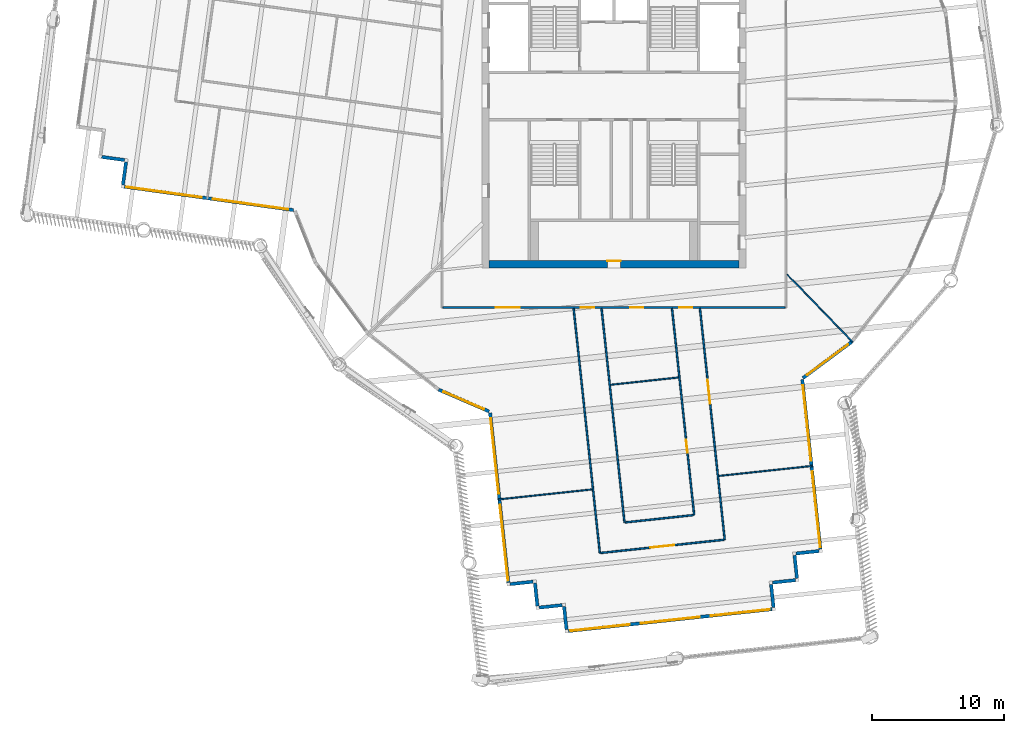
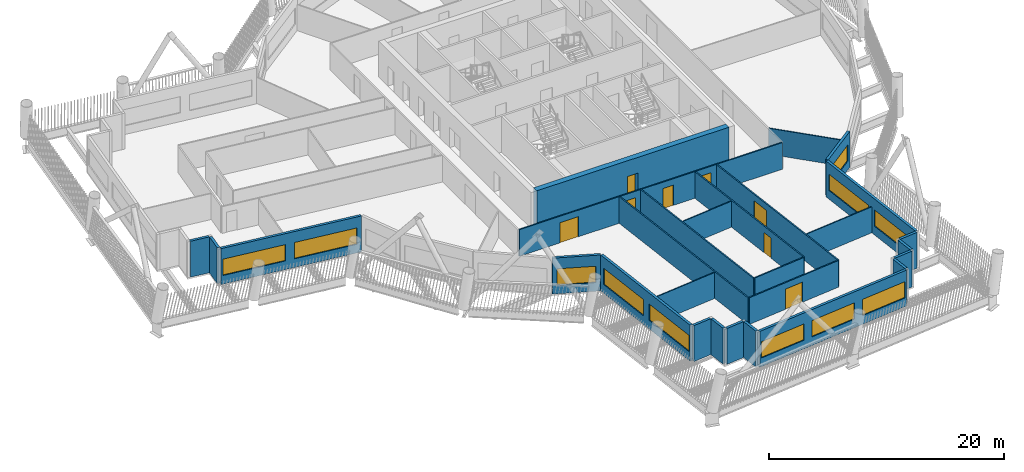
# One storey, part 3 of 21: 28 walls, 11 windows, 8 doors, 19 openings.
"""IFC4 building model written with IfcOpenShell, lengths in metres."""

from ifc_helpers import new_model, si_unit, direction, frame, frame_2d, origin, place, context, subcontext, project, spatial, rectangle, extrude, material, layer, layer_set, type_object, element, fill, save


model = new_model("IFC4")

# Units and contexts
model_context = context("Model", 3, precision=1e-05, world=origin(), true_north=direction((0.0, 1.0)))
body_context = subcontext(model_context, "Body", "Model", "MODEL_VIEW")
ifc_project = project(units=[si_unit("LENGTHUNIT", "METRE"), si_unit("AREAUNIT", "SQUARE_METRE"), si_unit("VOLUMEUNIT", "CUBIC_METRE"), si_unit("PLANEANGLEUNIT", "RADIAN"), si_unit("MASSUNIT", "GRAM", prefix="KILO")], contexts=[model_context])

# Site, building, storey
site_placement = place(None, origin())
site = spatial("IfcSite", under=ifc_project, at=site_placement, CompositionType="ELEMENT")
building_placement = place(site_placement, origin())
building = spatial("IfcBuilding", under=site, at=building_placement, Name="Tarsis Ring Headquarters", CompositionType="ELEMENT")
storey_placement = place(building_placement, frame((0.0, 0.0, 255.199951171875)))
storey = spatial("IfcBuildingStorey", under=building, at=storey_placement, Name="L59", CompositionType="ELEMENT", Elevation=255.199951171875)

# Wall, opening, door
ifc_material_1 = material(Name="Concrete C50/60", Category="concrete")
ifc_layer_1 = layer(ifc_material_1, 0.550048828125)
ifc_layer_set_1 = layer_set([ifc_layer_1], Name="Core wall 550 C50/60")
wall_type_1 = type_object("IfcWallType", Name="Core wall 550 C50/60", PredefinedType="SHEAR", material=ifc_layer_set_1)
wall_1_placement = place(storey_placement, frame((-9.449951171875, -12.72509765625, 0.0), z_axis=(0.0, 0.0, 1.0), x_axis=(1.0, 0.0, 0.0)))
wall_1 = element("IfcWall", 1, at=wall_1_placement, inside=storey, type_object=wall_type_1, Name="Core wall OS", PredefinedType="SHEAR", context=body_context, shape_type="SweptSolid", body=[
    extrude(rectangle(XDim=18.89990234375, YDim=0.550048828125, at=frame_2d((9.449951171875, 0.0))), origin(), (0.0, 0.0, 1.0), 3.739990234375),
])
opening_1_placement = place(wall_1_placement, frame((8.949951171875, 0.0, 0.0)))
opening_1 = element("IfcOpeningElement", 2, at=opening_1_placement, cuts=wall_1, Name="Opening L59-C17", PredefinedType="OPENING", context=body_context, shape_type="SweptSolid", body=[
    extrude(rectangle(XDim=1.0, YDim=2.10009765625, at=frame_2d((0.5, 1.050048828125))), frame((0.0, 0.284912109375, 0.0), z_axis=(0.0, -1.0, 0.0), x_axis=(1.0, 0.0, 0.0)), (0.0, 0.0, 1.0), 0.570068359375),
])
ifc_material_2 = material(Name="Steel S355", Category="steel")
door_type_1 = type_object("IfcDoorType", Name="Core room door 1000x2100", OperationType="SINGLE_SWING_LEFT", PredefinedType="DOOR", material=ifc_material_2)
door_1_placement = place(opening_1_placement, origin())
door_1 = element("IfcDoor", 3, at=door_1_placement, inside=storey, type_object=door_type_1, Name="Core room door L59", OperationType="SINGLE_SWING_LEFT", OverallHeight=2.10009765625, OverallWidth=1.0, PredefinedType="DOOR", context=body_context, shape_type="SweptSolid", body=[
    extrude(rectangle(XDim=1.0, YDim=2.10009765625, at=frame_2d((0.5, 1.050048828125))), frame((0.0, 0.27490234375, 0.0), z_axis=(0.0, -1.0, 0.0), x_axis=(1.0, 0.0, 0.0)), (0.0, 0.0, 1.0), 0.050048828125),
])
fill(opening_1, door_1)

# Walls
ifc_material_3 = material(Name="Gypsum board on steel studs", Category="steel")
ifc_layer_2 = layer(ifc_material_3, 0.10009765625)
ifc_layer_set_2 = layer_set([ifc_layer_2], Name="FL partition 100 unrated")
wall_type_2 = type_object("IfcWallType", Name="FL partition 100 unrated", PredefinedType="PARTITIONING", material=ifc_layer_set_2)
wall_2_placement = place(storey_placement, frame((13.090576171875, -13.498779296875, 0.0), z_axis=(0.0, 0.0, 1.0), x_axis=(0.696155976572, -0.717890560102, 0.0)))
element("IfcWall", 4, at=wall_2_placement, inside=storey, type_object=wall_type_2, Name="Partition PW3", PredefinedType="PARTITIONING", context=body_context, shape_type="SweptSolid", body=[
    extrude(rectangle(XDim=7.14404296875, YDim=0.10009765625, at=frame_2d((3.572021484375, 0.0))), origin(), (0.0, 0.0, 1.0), 2.699951171875),
])
wall_3_placement = place(storey_placement, frame((7.928955078125, -28.738525390625, 0.0), z_axis=(0.0, 0.0, 1.0), x_axis=(0.994299045456, 0.10662742708, 0.0)))
element("IfcWall", 5, at=wall_3_placement, inside=storey, type_object=wall_type_2, Name="Partition PW3", PredefinedType="PARTITIONING", context=body_context, shape_type="SweptSolid", body=[
    extrude(rectangle(XDim=7.1298828125, YDim=0.10009765625, at=frame_2d((3.56494140625, 0.0))), origin(), (0.0, 0.0, 1.0), 2.699951171875),
])
wall_4_placement = place(storey_placement, frame((-8.74658203125, -30.516357421875, 0.0), z_axis=(0.0, 0.0, 1.0), x_axis=(0.994303064178, 0.106589945893, 0.0)))
element("IfcWall", 6, at=wall_4_placement, inside=storey, type_object=wall_type_2, Name="Partition PW3", PredefinedType="PARTITIONING", context=body_context, shape_type="SweptSolid", body=[
    extrude(rectangle(XDim=7.130126953125, YDim=0.10009765625, at=frame_2d((3.56494140625, 0.0))), origin(), (0.0, 0.0, 1.0), 2.699951171875),
])
wall_5_placement = place(storey_placement, frame((-0.2529296875, -21.84130859375, 0.0), z_axis=(0.0, 0.0, 1.0), x_axis=(0.994302171042, 0.10659827701, 0.0)))
element("IfcWall", 7, at=wall_5_placement, inside=storey, type_object=wall_type_2, Name="Partition PW3", PredefinedType="PARTITIONING", context=body_context, shape_type="SweptSolid", body=[
    extrude(rectangle(XDim=5.159912109375, YDim=0.10009765625, at=frame_2d((2.580078125, 0.0))), origin(), (0.0, 0.0, 1.0), 2.699951171875),
])

# Wall, openings, doors
ifc_layer_3 = layer(ifc_material_3, 0.125)
ifc_layer_set_3 = layer_set([ifc_layer_3], Name="FL partition 125 EI 60 H2770")
wall_type_3 = type_object("IfcWallType", Name="FL partition 125 EI 60 H2770", PredefinedType="PARTITIONING", material=ifc_layer_set_3)
wall_6_placement = place(storey_placement, frame((-12.93994140625, -16.0, 0.0), z_axis=(0.0, 0.0, 1.0), x_axis=(1.0, 0.0, 0.0)))
wall_6 = element("IfcWall", 8, at=wall_6_placement, inside=storey, type_object=wall_type_3, Name="Partition PW1", PredefinedType="PARTITIONING", context=body_context, shape_type="SweptSolid", body=[
    extrude(rectangle(XDim=25.8798828125, YDim=0.125, at=frame_2d((12.93994140625, 0.0))), origin(), (0.0, 0.0, 1.0), 2.77001953125),
])
opening_2_placement = place(wall_6_placement, frame((4.00927734375, 0.0, 0.0)))
opening_2 = element("IfcOpeningElement", 9, at=opening_2_placement, cuts=wall_6, Name="Opening D59.11", PredefinedType="OPENING", context=body_context, shape_type="SweptSolid", body=[
    extrude(rectangle(XDim=1.800048828125, YDim=2.10009765625, at=frame_2d((0.89990234375, 1.050048828125))), frame((0.0, 0.072509765625, 0.0), z_axis=(0.0, -1.0, 0.0), x_axis=(1.0, 0.0, 0.0)), (0.0, 0.0, 1.0), 0.14501953125),
])
opening_3_placement = place(wall_6_placement, frame((14.155517578125, 0.0, 0.0)))
opening_3 = element("IfcOpeningElement", 10, at=opening_3_placement, cuts=wall_6, Name="Opening D59.15", PredefinedType="OPENING", context=body_context, shape_type="SweptSolid", body=[
    extrude(rectangle(XDim=1.0, YDim=2.10009765625, at=frame_2d((0.5, 1.050048828125))), frame((0.0, 0.072509765625, 0.0), z_axis=(0.0, -1.0, 0.0), x_axis=(1.0, 0.0, 0.0)), (0.0, 0.0, 1.0), 0.14501953125),
])
opening_4_placement = place(wall_6_placement, frame((10.434326171875, 0.0, 0.0)))
opening_4 = element("IfcOpeningElement", 11, at=opening_4_placement, cuts=wall_6, Name="Opening D59.17", PredefinedType="OPENING", context=body_context, shape_type="SweptSolid", body=[
    extrude(rectangle(XDim=1.0, YDim=2.10009765625, at=frame_2d((0.5, 1.050048828125))), frame((0.0, 0.072509765625, 0.0), z_axis=(0.0, -1.0, 0.0), x_axis=(1.0, 0.0, 0.0)), (0.0, 0.0, 1.0), 0.14501953125),
])
opening_5_placement = place(wall_6_placement, frame((17.876708984375, 0.0, 0.0)))
opening_5 = element("IfcOpeningElement", 12, at=opening_5_placement, cuts=wall_6, Name="Opening D59.18", PredefinedType="OPENING", context=body_context, shape_type="SweptSolid", body=[
    extrude(rectangle(XDim=1.0, YDim=2.10009765625, at=frame_2d((0.5, 1.050048828125))), frame((0.0, 0.072509765625, 0.0), z_axis=(0.0, -1.0, 0.0), x_axis=(1.0, 0.0, 0.0)), (0.0, 0.0, 1.0), 0.14501953125),
])
ifc_material_4 = material(Name="Fire-rated timber door leaf in steel frame", Category="steel")
door_type_2 = type_object("IfcDoorType", Name="FL door FD60-1000", OperationType="NOTDEFINED", PredefinedType="DOOR", material=ifc_material_4)
door_2_placement = place(opening_3_placement, origin())
door_2 = element("IfcDoor", 13, at=door_2_placement, inside=storey, type_object=door_type_2, Name="Door D59.15", OperationType="SINGLE_SWING_RIGHT", OverallHeight=2.10009765625, OverallWidth=1.0, PredefinedType="DOOR", context=body_context, shape_type="SweptSolid", body=[
    extrude(rectangle(XDim=1.0, YDim=2.10009765625, at=frame_2d((0.5, 1.050048828125))), frame((0.0, 0.02490234375, 0.0), z_axis=(0.0, -1.0, 0.0), x_axis=(1.0, 0.0, 0.0)), (0.0, 0.0, 1.0), 0.050048828125),
])
fill(opening_3, door_2)
door_3_placement = place(opening_4_placement, origin())
door_3 = element("IfcDoor", 14, at=door_3_placement, inside=storey, type_object=door_type_2, Name="Door D59.17", OperationType="SINGLE_SWING_RIGHT", OverallHeight=2.10009765625, OverallWidth=1.0, PredefinedType="DOOR", context=body_context, shape_type="SweptSolid", body=[
    extrude(rectangle(XDim=1.0, YDim=2.10009765625, at=frame_2d((0.5, 1.050048828125))), frame((0.0, 0.02490234375, 0.0), z_axis=(0.0, -1.0, 0.0), x_axis=(1.0, 0.0, 0.0)), (0.0, 0.0, 1.0), 0.050048828125),
])
fill(opening_4, door_3)
door_4_placement = place(opening_5_placement, origin())
door_4 = element("IfcDoor", 15, at=door_4_placement, inside=storey, type_object=door_type_2, Name="Door D59.18", OperationType="SINGLE_SWING_LEFT", OverallHeight=2.10009765625, OverallWidth=1.0, PredefinedType="DOOR", context=body_context, shape_type="SweptSolid", body=[
    extrude(rectangle(XDim=1.0, YDim=2.10009765625, at=frame_2d((0.5, 1.050048828125))), frame((0.0, 0.02490234375, 0.0), z_axis=(0.0, -1.0, 0.0), x_axis=(1.0, 0.0, 0.0)), (0.0, 0.0, 1.0), 0.050048828125),
])
fill(opening_5, door_4)
door_type_3 = type_object("IfcDoorType", Name="FL door FD60-1800", OperationType="DOUBLE_DOOR_SINGLE_SWING", PredefinedType="DOOR", material=ifc_material_4)
door_5_placement = place(opening_2_placement, origin())
door_5 = element("IfcDoor", 16, at=door_5_placement, inside=storey, type_object=door_type_3, Name="Door D59.11", OperationType="DOUBLE_DOOR_SINGLE_SWING", OverallHeight=2.10009765625, OverallWidth=1.800048828125, PredefinedType="DOOR", context=body_context, shape_type="SweptSolid", body=[
    extrude(rectangle(XDim=1.800048828125, YDim=2.10009765625, at=frame_2d((0.89990234375, 1.050048828125))), frame((0.0, 0.02490234375, 0.0), z_axis=(0.0, -1.0, 0.0), x_axis=(1.0, 0.0, 0.0)), (0.0, 0.0, 1.0), 0.050048828125),
])
fill(opening_2, door_5)

# Wall
wall_7_placement = place(storey_placement, frame((-3.05419921875, -16.069580078125, 0.0), z_axis=(0.0, 0.0, 1.0), x_axis=(0.106617438798, -0.994300116536, 0.0)))
element("IfcWall", 17, at=wall_7_placement, inside=storey, type_object=wall_type_3, Name="Partition PW1", PredefinedType="PARTITIONING", context=body_context, shape_type="SweptSolid", body=[
    extrude(rectangle(XDim=18.607421875, YDim=0.125, at=frame_2d((9.3037109375, 0.0))), origin(), (0.0, 0.0, 1.0), 2.77001953125),
])

# Wall, opening, door
wall_8_placement = place(storey_placement, frame((6.500244140625, -16.069580078125, 0.0), z_axis=(0.0, 0.0, 1.0), x_axis=(0.106614479609, -0.994300433842, 0.0)))
wall_8 = element("IfcWall", 18, at=wall_8_placement, inside=storey, type_object=wall_type_3, Name="Partition PW1", PredefinedType="PARTITIONING", context=body_context, shape_type="SweptSolid", body=[
    extrude(rectangle(XDim=17.589111328125, YDim=0.125, at=frame_2d((8.79443359375, 0.0))), origin(), (0.0, 0.0, 1.0), 2.77001953125),
])
opening_6_placement = place(wall_8_placement, frame((5.441650390625, 0.0, 0.0)))
opening_6 = element("IfcOpeningElement", 19, at=opening_6_placement, cuts=wall_8, Name="Opening D59.09", PredefinedType="OPENING", context=body_context, shape_type="SweptSolid", body=[
    extrude(rectangle(XDim=1.800048828125, YDim=2.10009765625, at=frame_2d((0.89990234375, 1.050048828125))), frame((0.0, 0.072509765625, 0.0), z_axis=(0.0, -1.0, 0.0), x_axis=(1.0, 0.0, 0.0)), (0.0, 0.0, 1.0), 0.14501953125),
])
door_6_placement = place(opening_6_placement, origin())
door_6 = element("IfcDoor", 20, at=door_6_placement, inside=storey, type_object=door_type_3, Name="Door D59.09", OperationType="DOUBLE_DOOR_SINGLE_SWING", OverallHeight=2.10009765625, OverallWidth=1.800048828125, PredefinedType="DOOR", context=body_context, shape_type="SweptSolid", body=[
    extrude(rectangle(XDim=1.800048828125, YDim=2.10009765625, at=frame_2d((0.89990234375, 1.050048828125))), frame((0.0, 0.02490234375, 0.0), z_axis=(0.0, -1.0, 0.0), x_axis=(1.0, 0.0, 0.0)), (0.0, 0.0, 1.0), 0.050048828125),
])
fill(opening_6, door_6)

# Wall
wall_9_placement = place(storey_placement, frame((-0.942138671875, -16.069580078125, 0.0), z_axis=(0.0, 0.0, 1.0), x_axis=(0.106607772202, -0.994301153025, 0.0)))
element("IfcWall", 21, at=wall_9_placement, inside=storey, type_object=wall_type_3, Name="Partition PW1", PredefinedType="PARTITIONING", context=body_context, shape_type="SweptSolid", body=[
    extrude(rectangle(XDim=16.282470703125, YDim=0.125, at=frame_2d((8.14111328125, 0.0))), origin(), (0.0, 0.0, 1.0), 2.77001953125),
])

# Wall, opening, door
wall_10_placement = place(storey_placement, frame((4.38818359375, -16.069580078125, 0.0), z_axis=(0.0, 0.0, 1.0), x_axis=(0.106611020997, -0.994300804687, 0.0)))
wall_10 = element("IfcWall", 22, at=wall_10_placement, inside=storey, type_object=wall_type_3, Name="Partition PW1", PredefinedType="PARTITIONING", context=body_context, shape_type="SweptSolid", body=[
    extrude(rectangle(XDim=15.714111328125, YDim=0.125, at=frame_2d((7.85693359375, 0.0))), origin(), (0.0, 0.0, 1.0), 2.77001953125),
])
opening_7_placement = place(wall_10_placement, frame((9.98046875, 0.0, 0.0)))
opening_7 = element("IfcOpeningElement", 23, at=opening_7_placement, cuts=wall_10, Name="Opening D59.16", PredefinedType="OPENING", context=body_context, shape_type="SweptSolid", body=[
    extrude(rectangle(XDim=1.0, YDim=2.10009765625, at=frame_2d((0.5, 1.050048828125))), frame((0.0, 0.072509765625, 0.0), z_axis=(0.0, -1.0, 0.0), x_axis=(1.0, 0.0, 0.0)), (0.0, 0.0, 1.0), 0.14501953125),
])
door_7_placement = place(opening_7_placement, origin())
door_7 = element("IfcDoor", 24, at=door_7_placement, inside=storey, type_object=door_type_2, Name="Door D59.16", OperationType="SINGLE_SWING_LEFT", OverallHeight=2.10009765625, OverallWidth=1.0, PredefinedType="DOOR", context=body_context, shape_type="SweptSolid", body=[
    extrude(rectangle(XDim=1.0, YDim=2.10009765625, at=frame_2d((0.5, 1.050048828125))), frame((0.0, 0.02490234375, 0.0), z_axis=(0.0, -1.0, 0.0), x_axis=(1.0, 0.0, 0.0)), (0.0, 0.0, 1.0), 0.050048828125),
])
fill(opening_7, door_7)

wall_11_placement = place(storey_placement, frame((-1.0107421875, -34.564697265625, 0.0), z_axis=(0.0, 0.0, 1.0), x_axis=(0.994301076971, 0.106608481526, 0.0)))
wall_11 = element("IfcWall", 25, at=wall_11_placement, inside=storey, type_object=wall_type_3, Name="Partition PW1", PredefinedType="PARTITIONING", context=body_context, shape_type="SweptSolid", body=[
    extrude(rectangle(XDim=9.380126953125, YDim=0.125, at=frame_2d((4.68994140625, 0.0))), origin(), (0.0, 0.0, 1.0), 2.77001953125),
])
opening_8_placement = place(wall_11_placement, frame((3.7900390625, 0.0, 0.0)))
opening_8 = element("IfcOpeningElement", 26, at=opening_8_placement, cuts=wall_11, Name="Opening D59.10", PredefinedType="OPENING", context=body_context, shape_type="SweptSolid", body=[
    extrude(rectangle(XDim=1.800048828125, YDim=2.10009765625, at=frame_2d((0.89990234375, 1.050048828125))), frame((0.0, 0.072509765625, 0.0), z_axis=(0.0, -1.0, 0.0), x_axis=(1.0, 0.0, 0.0)), (0.0, 0.0, 1.0), 0.14501953125),
])
door_8_placement = place(opening_8_placement, origin())
door_8 = element("IfcDoor", 27, at=door_8_placement, inside=storey, type_object=door_type_3, Name="Door D59.10", OperationType="DOUBLE_DOOR_SINGLE_SWING", OverallHeight=2.10009765625, OverallWidth=1.800048828125, PredefinedType="DOOR", context=body_context, shape_type="SweptSolid", body=[
    extrude(rectangle(XDim=1.800048828125, YDim=2.10009765625, at=frame_2d((0.89990234375, 1.050048828125))), frame((0.0, 0.02490234375, 0.0), z_axis=(0.0, -1.0, 0.0), x_axis=(1.0, 0.0, 0.0)), (0.0, 0.0, 1.0), 0.050048828125),
])
fill(opening_8, door_8)

# Wall
wall_12_placement = place(storey_placement, frame((0.853515625, -32.252685546875, 0.0), z_axis=(0.0, 0.0, 1.0), x_axis=(0.994305587227, 0.106566407505, 0.0)))
element("IfcWall", 28, at=wall_12_placement, inside=storey, type_object=wall_type_3, Name="Partition PW1", PredefinedType="PARTITIONING", context=body_context, shape_type="SweptSolid", body=[
    extrude(rectangle(XDim=5.179931640625, YDim=0.125, at=frame_2d((2.58984375, 0.0))), origin(), (0.0, 0.0, 1.0), 2.77001953125),
])

# Wall, openings, windows
ifc_material_5 = material(Name="Terracotta clad insulated panel wall", Category="masonry")
ifc_layer_4 = layer(ifc_material_5, 0.25)
ifc_layer_set_4 = layer_set([ifc_layer_4], Name="Facade wall terracotta panel 250")
wall_type_4 = type_object("IfcWallType", Name="Facade wall terracotta panel 250", PredefinedType="STANDARD", material=ifc_layer_set_4)
wall_13_placement = place(storey_placement, frame((-37.04052734375, -6.861572265625, 0.0), z_axis=(0.0, 0.0, 1.0), x_axis=(0.990558591849, -0.137090029229, 0.0)))
wall_13 = element("IfcWall", 29, at=wall_13_placement, inside=storey, type_object=wall_type_4, Name="External wall L59-01", PredefinedType="STANDARD", context=body_context, shape_type="SweptSolid", body=[
    extrude(rectangle(XDim=12.922119140625, YDim=0.25, at=frame_2d((6.4609375, 0.0))), origin(), (0.0, 0.0, 1.0), 3.739990234375),
])
opening_9_placement = place(wall_13_placement, frame((0.16796875, 0.0, 0.89990234375)))
opening_9 = element("IfcOpeningElement", 30, at=opening_9_placement, cuts=wall_13, Name="Opening WN06", PredefinedType="OPENING", context=body_context, shape_type="SweptSolid", body=[
    extrude(rectangle(XDim=5.75, YDim=1.699951171875, at=frame_2d((2.875, 0.85009765625))), frame((0.0, 0.135009765625, 0.0), z_axis=(0.0, -1.0, 0.0), x_axis=(1.0, 0.0, 0.0)), (0.0, 0.0, 1.0), 0.27001953125),
])
opening_10_placement = place(wall_13_placement, frame((6.75390625, 0.0, 0.89990234375)))
opening_10 = element("IfcOpeningElement", 31, at=opening_10_placement, cuts=wall_13, Name="Opening WN06", PredefinedType="OPENING", context=body_context, shape_type="SweptSolid", body=[
    extrude(rectangle(XDim=5.75, YDim=1.699951171875, at=frame_2d((2.875, 0.85009765625))), frame((0.0, 0.135009765625, 0.0), z_axis=(0.0, -1.0, 0.0), x_axis=(1.0, 0.0, 0.0)), (0.0, 0.0, 1.0), 0.27001953125),
])
ifc_material_6 = material(Name="Aluminium framed double glazing", Category="aluminium")
window_type_1 = type_object("IfcWindowType", Name="Facade window 5750 x 1700", PartitioningType="SINGLE_PANEL", PredefinedType="WINDOW", material=ifc_material_6)
window_1_placement = place(opening_9_placement, origin())
window_1 = element("IfcWindow", 32, at=window_1_placement, inside=storey, type_object=window_type_1, Name="Window L59-01.1", OverallHeight=1.699951171875, OverallWidth=5.75, PartitioningType="SINGLE_PANEL", PredefinedType="WINDOW", context=body_context, shape_type="SweptSolid", body=[
    extrude(rectangle(XDim=5.75, YDim=1.699951171875, at=frame_2d((2.875, 0.85009765625))), frame((0.0, 0.030029296875, 0.0), z_axis=(0.0, -1.0, 0.0), x_axis=(1.0, 0.0, 0.0)), (0.0, 0.0, 1.0), 0.06005859375),
])
fill(opening_9, window_1)
window_2_placement = place(opening_10_placement, origin())
window_2 = element("IfcWindow", 33, at=window_2_placement, inside=storey, type_object=window_type_1, Name="Window L59-01.2", OverallHeight=1.699951171875, OverallWidth=5.75, PartitioningType="SINGLE_PANEL", PredefinedType="WINDOW", context=body_context, shape_type="SweptSolid", body=[
    extrude(rectangle(XDim=5.75, YDim=1.699951171875, at=frame_2d((2.875, 0.85009765625))), frame((0.0, 0.030029296875, 0.0), z_axis=(0.0, -1.0, 0.0), x_axis=(1.0, 0.0, 0.0)), (0.0, 0.0, 1.0), 0.06005859375),
])
fill(opening_10, window_2)

# Wall, opening, window
wall_14_placement = place(storey_placement, frame((-13.264404296875, -22.212646484375, 0.0), z_axis=(0.0, 0.0, 1.0), x_axis=(0.917885942892, -0.396844296722, 0.0)))
wall_14 = element("IfcWall", 34, at=wall_14_placement, inside=storey, type_object=wall_type_4, Name="External wall L59-05", PredefinedType="STANDARD", context=body_context, shape_type="SweptSolid", body=[
    extrude(rectangle(XDim=4.157470703125, YDim=0.25, at=frame_2d((2.07861328125, 0.0))), origin(), (0.0, 0.0, 1.0), 3.739990234375),
])
opening_11_placement = place(wall_14_placement, frame((0.38720703125, 0.0, 0.89990234375)))
opening_11 = element("IfcOpeningElement", 35, at=opening_11_placement, cuts=wall_14, Name="Opening WN01", PredefinedType="OPENING", context=body_context, shape_type="SweptSolid", body=[
    extrude(rectangle(XDim=3.35009765625, YDim=1.699951171875, at=frame_2d((1.675048828125, 0.85009765625))), frame((0.0, 0.135009765625, 0.0), z_axis=(0.0, -1.0, 0.0), x_axis=(1.0, 0.0, 0.0)), (0.0, 0.0, 1.0), 0.27001953125),
])
window_type_2 = type_object("IfcWindowType", Name="Facade window 3350 x 1700", PartitioningType="SINGLE_PANEL", PredefinedType="WINDOW", material=ifc_material_6)
window_3_placement = place(opening_11_placement, origin())
window_3 = element("IfcWindow", 36, at=window_3_placement, inside=storey, type_object=window_type_2, Name="Window L59-05.1", OverallHeight=1.699951171875, OverallWidth=3.35009765625, PartitioningType="SINGLE_PANEL", PredefinedType="WINDOW", context=body_context, shape_type="SweptSolid", body=[
    extrude(rectangle(XDim=3.35009765625, YDim=1.699951171875, at=frame_2d((1.675048828125, 0.85009765625))), frame((0.0, 0.030029296875, 0.0), z_axis=(0.0, -1.0, 0.0), x_axis=(1.0, 0.0, 0.0)), (0.0, 0.0, 1.0), 0.06005859375),
])
fill(opening_11, window_3)

# Wall, openings, windows
wall_15_placement = place(storey_placement, frame((-9.37353515625, -23.9638671875, 0.0), z_axis=(0.0, 0.0, 1.0), x_axis=(0.106596498467, -0.994302361716, 0.0)))
wall_15 = element("IfcWall", 37, at=wall_15_placement, inside=storey, type_object=wall_type_4, Name="External wall L59-06", PredefinedType="STANDARD", context=body_context, shape_type="SweptSolid", body=[
    extrude(rectangle(XDim=12.922119140625, YDim=0.25, at=frame_2d((6.4609375, 0.0))), origin(), (0.0, 0.0, 1.0), 3.739990234375),
])
opening_12_placement = place(wall_15_placement, frame((0.41796875, 0.0, 0.89990234375)))
opening_12 = element("IfcOpeningElement", 38, at=opening_12_placement, cuts=wall_15, Name="Opening WN06", PredefinedType="OPENING", context=body_context, shape_type="SweptSolid", body=[
    extrude(rectangle(XDim=5.75, YDim=1.699951171875, at=frame_2d((2.875, 0.85009765625))), frame((0.0, 0.135009765625, 0.0), z_axis=(0.0, -1.0, 0.0), x_axis=(1.0, 0.0, 0.0)), (0.0, 0.0, 1.0), 0.27001953125),
])
opening_13_placement = place(wall_15_placement, frame((7.00390625, 0.0, 0.89990234375)))
opening_13 = element("IfcOpeningElement", 39, at=opening_13_placement, cuts=wall_15, Name="Opening WN06", PredefinedType="OPENING", context=body_context, shape_type="SweptSolid", body=[
    extrude(rectangle(XDim=5.75, YDim=1.699951171875, at=frame_2d((2.875, 0.85009765625))), frame((0.0, 0.135009765625, 0.0), z_axis=(0.0, -1.0, 0.0), x_axis=(1.0, 0.0, 0.0)), (0.0, 0.0, 1.0), 0.27001953125),
])
window_4_placement = place(opening_12_placement, origin())
window_4 = element("IfcWindow", 40, at=window_4_placement, inside=storey, type_object=window_type_1, Name="Window L59-06.1", OverallHeight=1.699951171875, OverallWidth=5.75, PartitioningType="SINGLE_PANEL", PredefinedType="WINDOW", context=body_context, shape_type="SweptSolid", body=[
    extrude(rectangle(XDim=5.75, YDim=1.699951171875, at=frame_2d((2.875, 0.85009765625))), frame((0.0, 0.030029296875, 0.0), z_axis=(0.0, -1.0, 0.0), x_axis=(1.0, 0.0, 0.0)), (0.0, 0.0, 1.0), 0.06005859375),
])
fill(opening_12, window_4)
window_5_placement = place(opening_13_placement, origin())
window_5 = element("IfcWindow", 41, at=window_5_placement, inside=storey, type_object=window_type_1, Name="Window L59-06.2", OverallHeight=1.699951171875, OverallWidth=5.75, PartitioningType="SINGLE_PANEL", PredefinedType="WINDOW", context=body_context, shape_type="SweptSolid", body=[
    extrude(rectangle(XDim=5.75, YDim=1.699951171875, at=frame_2d((2.875, 0.85009765625))), frame((0.0, 0.030029296875, 0.0), z_axis=(0.0, -1.0, 0.0), x_axis=(1.0, 0.0, 0.0)), (0.0, 0.0, 1.0), 0.06005859375),
])
fill(opening_13, window_5)

# Walls
for number, where, z_axis, x_axis, name in (
    (42, (-7.8583984375, -36.92333984375, 0.0), (0.0, 0.0, 1.0), (0.994288551902, 0.106725233928, 0.0), "External wall L59-07"),
    (43, (-5.980712890625, -36.84765625, 0.0), (0.0, 0.0, 1.0), (0.106587309798, -0.994303346766, 0.0), "External wall L59-08"),
    (44, (-5.656494140625, -38.698486328125, 0.0), (0.0, 0.0, 1.0), (0.994303346766, 0.106587309798, 0.0), "External wall L59-09"),
    (45, (-3.77880859375, -38.623046875, 0.0), (0.0, 0.0, 1.0), (0.106587309798, -0.994303346766, 0.0), "External wall L59-10"),
):
    element("IfcWall", number, at=place(storey_placement, frame(where, z_axis=z_axis, x_axis=x_axis)), inside=storey, type_object=wall_type_4, Name=name, PredefinedType="STANDARD", context=body_context, shape_type="SweptSolid", body=[
        extrude(rectangle(XDim=1.75, YDim=0.25, at=frame_2d((0.875, 0.0))), origin(), (0.0, 0.0, 1.0), 3.739990234375),
    ])

# Wall, openings, windows
wall_16_placement = place(storey_placement, frame((-3.45458984375, -40.473876953125, 0.0), z_axis=(0.0, 0.0, 1.0), x_axis=(0.994301643377, 0.10660319872, 0.0)))
wall_16 = element("IfcWall", 46, at=wall_16_placement, inside=storey, type_object=wall_type_4, Name="External wall L59-11", PredefinedType="STANDARD", context=body_context, shape_type="SweptSolid", body=[
    extrude(rectangle(XDim=15.5, YDim=0.25, at=frame_2d((7.75, 0.0))), origin(), (0.0, 0.0, 1.0), 3.739990234375),
])
opening_14_placement = place(wall_16_placement, frame((0.166748046875, 0.0, 0.89990234375)))
opening_14 = element("IfcOpeningElement", 47, at=opening_14_placement, cuts=wall_16, Name="Opening WN04", PredefinedType="OPENING", context=body_context, shape_type="SweptSolid", body=[
    extrude(rectangle(XDim=4.5, YDim=1.699951171875, at=frame_2d((2.25, 0.85009765625))), frame((0.0, 0.135009765625, 0.0), z_axis=(0.0, -1.0, 0.0), x_axis=(1.0, 0.0, 0.0)), (0.0, 0.0, 1.0), 0.27001953125),
])
opening_15_placement = place(wall_16_placement, frame((5.5, 0.0, 0.89990234375)))
opening_15 = element("IfcOpeningElement", 48, at=opening_15_placement, cuts=wall_16, Name="Opening WN04", PredefinedType="OPENING", context=body_context, shape_type="SweptSolid", body=[
    extrude(rectangle(XDim=4.5, YDim=1.699951171875, at=frame_2d((2.25, 0.85009765625))), frame((0.0, 0.135009765625, 0.0), z_axis=(0.0, -1.0, 0.0), x_axis=(1.0, 0.0, 0.0)), (0.0, 0.0, 1.0), 0.27001953125),
])
opening_16_placement = place(wall_16_placement, frame((10.833251953125, 0.0, 0.89990234375)))
opening_16 = element("IfcOpeningElement", 49, at=opening_16_placement, cuts=wall_16, Name="Opening WN04", PredefinedType="OPENING", context=body_context, shape_type="SweptSolid", body=[
    extrude(rectangle(XDim=4.5, YDim=1.699951171875, at=frame_2d((2.25, 0.85009765625))), frame((0.0, 0.135009765625, 0.0), z_axis=(0.0, -1.0, 0.0), x_axis=(1.0, 0.0, 0.0)), (0.0, 0.0, 1.0), 0.27001953125),
])
window_type_3 = type_object("IfcWindowType", Name="Facade window 4500 x 1700", PartitioningType="SINGLE_PANEL", PredefinedType="WINDOW", material=ifc_material_6)
window_6_placement = place(opening_14_placement, origin())
window_6 = element("IfcWindow", 50, at=window_6_placement, inside=storey, type_object=window_type_3, Name="Window L59-11.1", OverallHeight=1.699951171875, OverallWidth=4.5, PartitioningType="SINGLE_PANEL", PredefinedType="WINDOW", context=body_context, shape_type="SweptSolid", body=[
    extrude(rectangle(XDim=4.5, YDim=1.699951171875, at=frame_2d((2.25, 0.85009765625))), frame((0.0, 0.030029296875, 0.0), z_axis=(0.0, -1.0, 0.0), x_axis=(1.0, 0.0, 0.0)), (0.0, 0.0, 1.0), 0.06005859375),
])
fill(opening_14, window_6)
window_7_placement = place(opening_15_placement, origin())
window_7 = element("IfcWindow", 51, at=window_7_placement, inside=storey, type_object=window_type_3, Name="Window L59-11.2", OverallHeight=1.699951171875, OverallWidth=4.5, PartitioningType="SINGLE_PANEL", PredefinedType="WINDOW", context=body_context, shape_type="SweptSolid", body=[
    extrude(rectangle(XDim=4.5, YDim=1.699951171875, at=frame_2d((2.25, 0.85009765625))), frame((0.0, 0.030029296875, 0.0), z_axis=(0.0, -1.0, 0.0), x_axis=(1.0, 0.0, 0.0)), (0.0, 0.0, 1.0), 0.06005859375),
])
fill(opening_15, window_7)
window_8_placement = place(opening_16_placement, origin())
window_8 = element("IfcWindow", 52, at=window_8_placement, inside=storey, type_object=window_type_3, Name="Window L59-11.3", OverallHeight=1.699951171875, OverallWidth=4.5, PartitioningType="SINGLE_PANEL", PredefinedType="WINDOW", context=body_context, shape_type="SweptSolid", body=[
    extrude(rectangle(XDim=4.5, YDim=1.699951171875, at=frame_2d((2.25, 0.85009765625))), frame((0.0, 0.030029296875, 0.0), z_axis=(0.0, -1.0, 0.0), x_axis=(1.0, 0.0, 0.0)), (0.0, 0.0, 1.0), 0.06005859375),
])
fill(opening_16, window_8)

# Walls
wall_17_placement = place(storey_placement, frame((12.06787109375, -38.683837890625, 0.0), z_axis=(0.0, 0.0, 1.0), x_axis=(-0.106587309798, 0.994303346766, 0.0)))
element("IfcWall", 53, at=wall_17_placement, inside=storey, type_object=wall_type_4, Name="External wall L59-12", PredefinedType="STANDARD", context=body_context, shape_type="SweptSolid", body=[
    extrude(rectangle(XDim=1.75, YDim=0.25, at=frame_2d((0.875, 0.0))), origin(), (0.0, 0.0, 1.0), 3.739990234375),
])
for number, where, z_axis, x_axis, name in (
    (54, (11.9921875, -36.80615234375, 0.0), (0.0, 0.0, 1.0), (0.994304931414, 0.106572526319, 0.0), "External wall L59-13"),
    (55, (13.84326171875, -36.482177734375, 0.0), (0.0, 0.0, 1.0), (-0.106572526319, 0.994304931414, 0.0), "External wall L59-14"),
    (56, (13.767578125, -34.6044921875, 0.0), (0.0, 0.0, 1.0), (0.994304931414, 0.106572526319, 0.0), "External wall L59-15"),
):
    element("IfcWall", number, at=place(storey_placement, frame(where, z_axis=z_axis, x_axis=x_axis)), inside=storey, type_object=wall_type_4, Name=name, PredefinedType="STANDARD", context=body_context, shape_type="SweptSolid", body=[
        extrude(rectangle(XDim=1.750244140625, YDim=0.25, at=frame_2d((0.875, 0.0))), origin(), (0.0, 0.0, 1.0), 3.739990234375),
    ])

# Wall, openings, windows
wall_18_placement = place(storey_placement, frame((15.61865234375, -34.2802734375, 0.0), z_axis=(0.0, 0.0, 1.0), x_axis=(-0.106615308293, 0.994300344985, 0.0)))
wall_18 = element("IfcWall", 57, at=wall_18_placement, inside=storey, type_object=wall_type_4, Name="External wall L59-16", PredefinedType="STANDARD", context=body_context, shape_type="SweptSolid", body=[
    extrude(rectangle(XDim=12.9013671875, YDim=0.25, at=frame_2d((6.45068359375, 0.0))), origin(), (0.0, 0.0, 1.0), 3.739990234375),
])
opening_17_placement = place(wall_18_placement, frame((0.162841796875, 0.0, 0.89990234375)))
opening_17 = element("IfcOpeningElement", 58, at=opening_17_placement, cuts=wall_18, Name="Opening WN06", PredefinedType="OPENING", context=body_context, shape_type="SweptSolid", body=[
    extrude(rectangle(XDim=5.75, YDim=1.699951171875, at=frame_2d((2.875, 0.85009765625))), frame((0.0, 0.135009765625, 0.0), z_axis=(0.0, -1.0, 0.0), x_axis=(1.0, 0.0, 0.0)), (0.0, 0.0, 1.0), 0.27001953125),
])
opening_18_placement = place(wall_18_placement, frame((6.738525390625, 0.0, 0.89990234375)))
opening_18 = element("IfcOpeningElement", 59, at=opening_18_placement, cuts=wall_18, Name="Opening WN06", PredefinedType="OPENING", context=body_context, shape_type="SweptSolid", body=[
    extrude(rectangle(XDim=5.75, YDim=1.699951171875, at=frame_2d((2.875, 0.85009765625))), frame((0.0, 0.135009765625, 0.0), z_axis=(0.0, -1.0, 0.0), x_axis=(1.0, 0.0, 0.0)), (0.0, 0.0, 1.0), 0.27001953125),
])
window_9_placement = place(opening_17_placement, origin())
window_9 = element("IfcWindow", 60, at=window_9_placement, inside=storey, type_object=window_type_1, Name="Window L59-16.1", OverallHeight=1.699951171875, OverallWidth=5.75, PartitioningType="SINGLE_PANEL", PredefinedType="WINDOW", context=body_context, shape_type="SweptSolid", body=[
    extrude(rectangle(XDim=5.75, YDim=1.699951171875, at=frame_2d((2.875, 0.85009765625))), frame((0.0, 0.030029296875, 0.0), z_axis=(0.0, -1.0, 0.0), x_axis=(1.0, 0.0, 0.0)), (0.0, 0.0, 1.0), 0.06005859375),
])
fill(opening_17, window_9)
window_10_placement = place(opening_18_placement, origin())
window_10 = element("IfcWindow", 61, at=window_10_placement, inside=storey, type_object=window_type_1, Name="Window L59-16.2", OverallHeight=1.699951171875, OverallWidth=5.75, PartitioningType="SINGLE_PANEL", PredefinedType="WINDOW", context=body_context, shape_type="SweptSolid", body=[
    extrude(rectangle(XDim=5.75, YDim=1.699951171875, at=frame_2d((2.875, 0.85009765625))), frame((0.0, 0.030029296875, 0.0), z_axis=(0.0, -1.0, 0.0), x_axis=(1.0, 0.0, 0.0)), (0.0, 0.0, 1.0), 0.06005859375),
])
fill(opening_18, window_10)

# Wall, opening, window
wall_19_placement = place(storey_placement, frame((14.29296875, -21.3388671875, 0.0), z_axis=(0.0, 0.0, 1.0), x_axis=(0.802599930465, 0.596517687599, 0.0)))
wall_19 = element("IfcWall", 62, at=wall_19_placement, inside=storey, type_object=wall_type_4, Name="External wall L59-17", PredefinedType="STANDARD", context=body_context, shape_type="SweptSolid", body=[
    extrude(rectangle(XDim=4.617919921875, YDim=0.25, at=frame_2d((2.30908203125, 0.0))), origin(), (0.0, 0.0, 1.0), 3.739990234375),
])
opening_19_placement = place(wall_19_placement, frame((0.400390625, 0.0, 0.89990234375)))
opening_19 = element("IfcOpeningElement", 63, at=opening_19_placement, cuts=wall_19, Name="Opening WN02", PredefinedType="OPENING", context=body_context, shape_type="SweptSolid", body=[
    extrude(rectangle(XDim=3.85009765625, YDim=1.699951171875, at=frame_2d((1.925048828125, 0.85009765625))), frame((0.0, 0.135009765625, 0.0), z_axis=(0.0, -1.0, 0.0), x_axis=(1.0, 0.0, 0.0)), (0.0, 0.0, 1.0), 0.27001953125),
])
window_type_4 = type_object("IfcWindowType", Name="Facade window 3850 x 1700", PartitioningType="SINGLE_PANEL", PredefinedType="WINDOW", material=ifc_material_6)
window_11_placement = place(opening_19_placement, origin())
window_11 = element("IfcWindow", 64, at=window_11_placement, inside=storey, type_object=window_type_4, Name="Window L59-17.1", OverallHeight=1.699951171875, OverallWidth=3.85009765625, PartitioningType="SINGLE_PANEL", PredefinedType="WINDOW", context=body_context, shape_type="SweptSolid", body=[
    extrude(rectangle(XDim=3.85009765625, YDim=1.699951171875, at=frame_2d((1.925048828125, 0.85009765625))), frame((0.0, 0.030029296875, 0.0), z_axis=(0.0, -1.0, 0.0), x_axis=(1.0, 0.0, 0.0)), (0.0, 0.0, 1.0), 0.06005859375),
])
fill(opening_19, window_11)

# Walls
wall_20_placement = place(storey_placement, frame((-38.747314453125, -4.606201171875, 0.0), z_axis=(0.0, 0.0, 1.0), x_axis=(0.990551324709, -0.137142528477, 0.0)))
element("IfcWall", 65, at=wall_20_placement, inside=storey, type_object=wall_type_4, Name="External wall L59-39", PredefinedType="STANDARD", context=body_context, shape_type="SweptSolid", body=[
    extrude(rectangle(XDim=1.75, YDim=0.25, at=frame_2d((0.875, 0.0))), origin(), (0.0, 0.0, 1.0), 3.739990234375),
])
wall_21_placement = place(storey_placement, frame((-36.9072265625, -4.987060546875, 0.0), z_axis=(0.0, 0.0, 1.0), x_axis=(-0.137123578516, -0.99055394816, 0.0)))
element("IfcWall", 66, at=wall_21_placement, inside=storey, type_object=wall_type_4, Name="External wall L59-40", PredefinedType="STANDARD", context=body_context, shape_type="SweptSolid", body=[
    extrude(rectangle(XDim=1.750244140625, YDim=0.25, at=frame_2d((0.875, 0.0))), origin(), (0.0, 0.0, 1.0), 3.739990234375),
])

save(model, "model.ifc")
